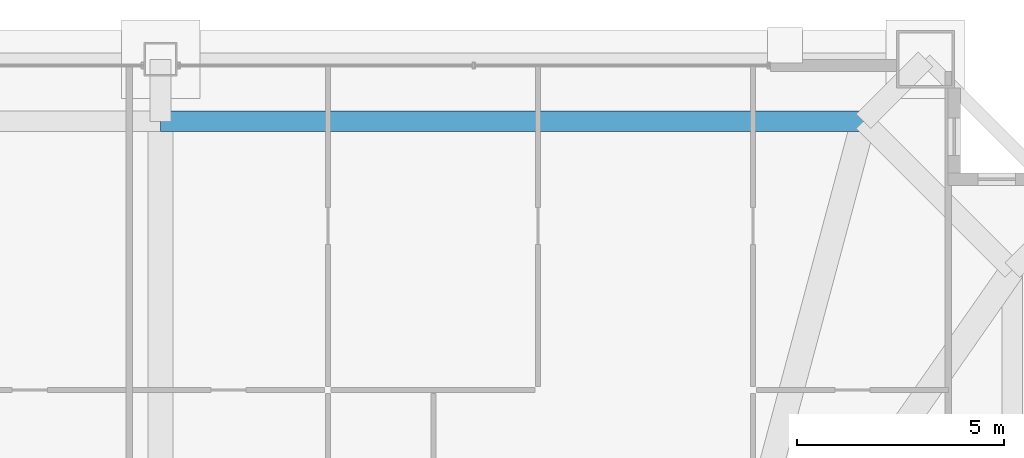
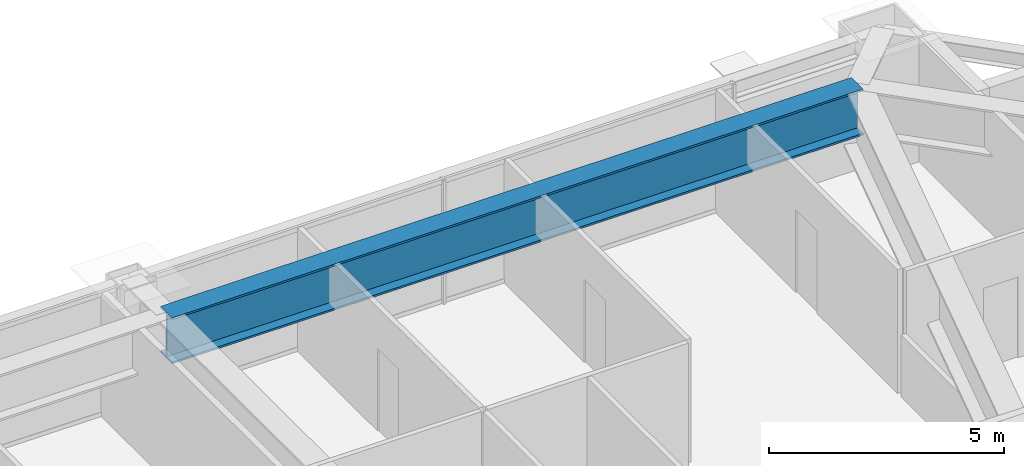
# One storey, part 29 of 39: 1 beam.
"""IFC4 building model written with IfcOpenShell, lengths in metres."""

from ifc_helpers import new_model, si_unit, direction, frame, origin, origin_2d, place, context, subcontext, project, spatial, i_section, extrude, source, transform, mapped, material, material_profile, profile_set, type_object, element, save


model = new_model("IFC4")

# Units and contexts
model_context = context("Model", 3, precision=1e-05, world=origin(), true_north=direction((0.0, 1.0)))
body_context = subcontext(model_context, "Body", "Model", "MODEL_VIEW")
ifc_project = project(units=[si_unit("LENGTHUNIT", "METRE"), si_unit("AREAUNIT", "SQUARE_METRE"), si_unit("VOLUMEUNIT", "CUBIC_METRE"), si_unit("PLANEANGLEUNIT", "RADIAN"), si_unit("MASSUNIT", "GRAM", prefix="KILO"), si_unit("THERMODYNAMICTEMPERATUREUNIT", "KELVIN"), si_unit("POWERUNIT", "WATT")], contexts=[model_context])

# Site, building, storey
site_placement = place(None, origin())
site = spatial("IfcSite", under=ifc_project, at=site_placement, CompositionType="ELEMENT")
building_placement = place(site_placement, origin())
building = spatial("IfcBuilding", under=site, at=building_placement, Name="Yuzanri Waterfront Tower", CompositionType="ELEMENT")
storey_placement = place(building_placement, frame((0.0, 0.0, 216.0)))
storey = spatial("IfcBuildingStorey", under=building, at=storey_placement, Name="L57", CompositionType="ELEMENT", Elevation=216.0)

# Beam
ifc_material = material(Name="Steel Q420GJC", Category="steel")
ifc_material_profile = material_profile(ifc_material, i_section(OverallWidth=0.5, OverallDepth=1.199951171875, WebThickness=0.028076171875, FlangeThickness=0.050048828125, at=origin_2d()), Name="PG 1200x500x28x50")
ifc_profile_set = profile_set([ifc_material_profile], Name="Steel Q420GJC")
beam_type = type_object("IfcBeamType", Name="Setback Transfer Girder Q420GJC PG 1200x500", PredefinedType="USERDEFINED", material=ifc_profile_set)
shared_shape = source(origin(), body_context, "Body", "SweptSolid", [
    extrude(i_section(OverallWidth=0.5, OverallDepth=1.199951171875, WebThickness=0.028076171875, FlangeThickness=0.050048828125, at=origin_2d()), origin(), (0.0, 0.0, 1.0), 17.0),
])
beam_placement = place(storey_placement, frame((54.0, 46.39990234375, 2.6201171875), z_axis=(-1.0, 0.0, 0.0), x_axis=(0.0, -1.0, 0.0)))
element("IfcBeam", 1, at=beam_placement, inside=storey, type_object=beam_type, Name="L57 Setback Upper Ring N3-N2", ObjectType="GIRDER", PredefinedType="USERDEFINED", context=body_context, shape_type="MappedRepresentation", body=[
    mapped(shared_shape, transform((0.0, 0.0, 0.0), scale=1.0)),
])

save(model, "model.ifc")
